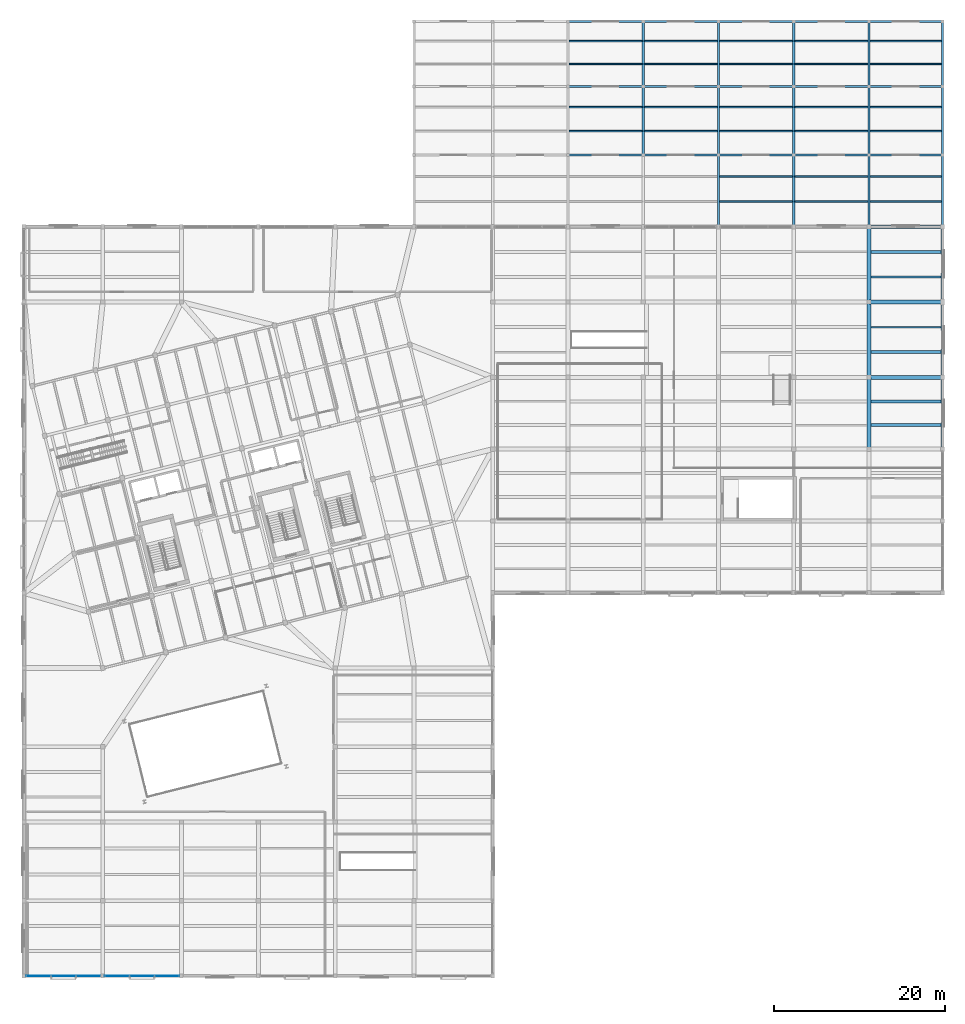
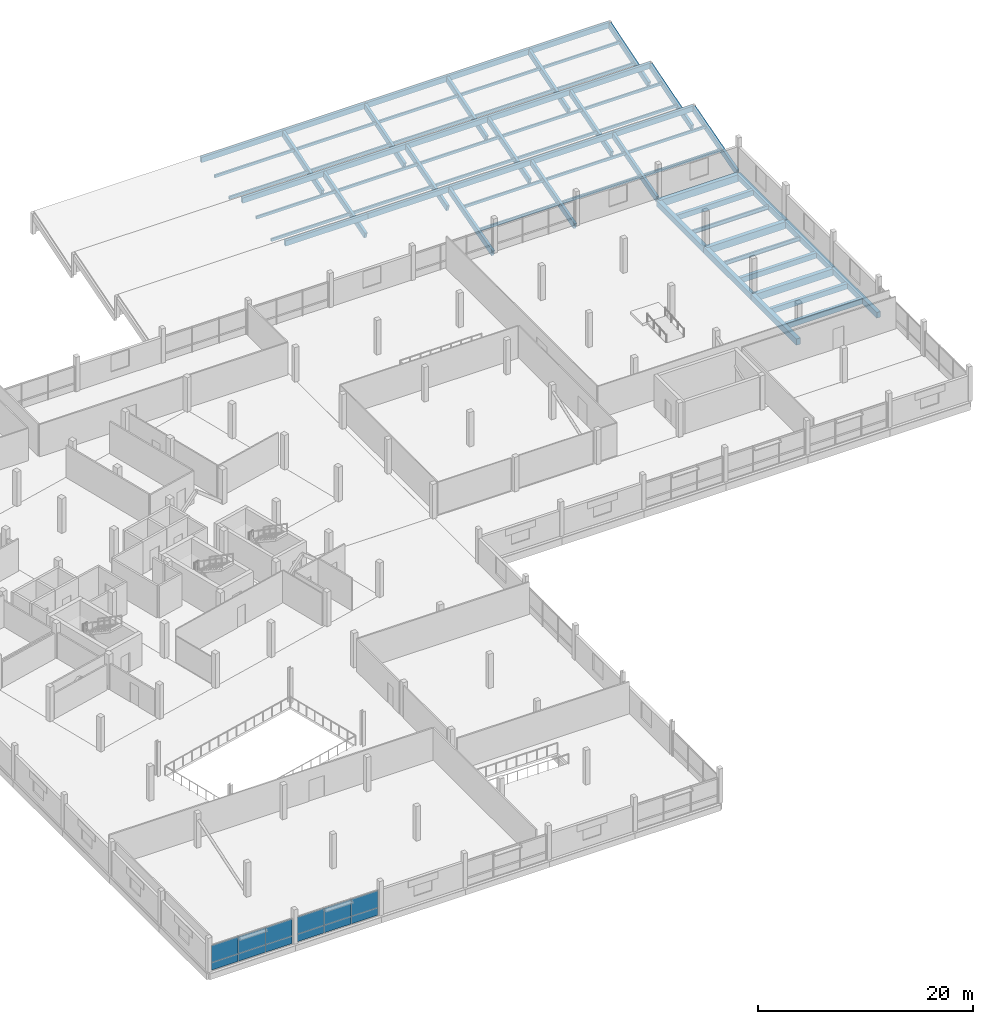
# One storey, part 47 of 62: 44 beams, 26 members, 12 plates, 2 elements without a shape of their own.
"""IFC4 building model written with IfcOpenShell, lengths in metres."""

from ifc_helpers import new_model, si_unit, direction, frame, origin, origin_2d, place, context, subcontext, project, spatial, rectangle, i_section, extrude, material, layer, layer_set, material_profile, profile_set, type_object, element, aggregate, save


model = new_model("IFC4")

# Units and contexts
model_context = context("Model", 3, precision=1e-05, world=origin(), true_north=direction((0.0, 1.0)))
body_context = subcontext(model_context, "Body", "Model", "MODEL_VIEW")
ifc_project = project(units=[si_unit("LENGTHUNIT", "METRE"), si_unit("AREAUNIT", "SQUARE_METRE"), si_unit("VOLUMEUNIT", "CUBIC_METRE"), si_unit("PLANEANGLEUNIT", "RADIAN"), si_unit("MASSUNIT", "GRAM", prefix="KILO")], contexts=[model_context])

# Site, building, storey
site_placement = place(None, origin())
site = spatial("IfcSite", under=ifc_project, at=site_placement, CompositionType="ELEMENT")
building_placement = place(site_placement, origin())
building = spatial("IfcBuilding", under=site, at=building_placement, Name="Meriwether Solvik Hall", CompositionType="ELEMENT")
storey_placement = place(building_placement, frame((0.0, 0.0, 14.39990234375)))
storey = spatial("IfcBuildingStorey", under=building, at=storey_placement, Name="L03", CompositionType="ELEMENT", Elevation=14.39990234375)

# Beams
ifc_material_1 = material(Name="Glulam Douglas-Fir 24F-V8 GL28h", Category="wood")
ifc_material_profile_1 = material_profile(ifc_material_1, rectangle(XDim=0.27294921875, YDim=0.610107421875, at=origin_2d()), Name="GLB-273X610")
ifc_profile_set_1 = profile_set([ifc_material_profile_1], Name="Glulam Douglas-Fir 24F-V8 GL28h")
beam_type_1 = type_object("IfcBeamType", Name="BM-GL-273X610", PredefinedType="SPANDREL", material=ifc_profile_set_1)
for number, where, z_axis, x_axis, name in (
    (1, (123.0, 101.199951171875, 2.055908203125), (1.0, 0.0, 0.0), (0.0, 1.0, 0.0), "Roof Tie Beam L:14-15 (L03)"),
    (2, (131.800048828125, 101.199951171875, 2.055908203125), (1.0, 0.0, 0.0), (0.0, 1.0, 0.0), "Roof Tie Beam L:15-16 (L03)"),
):
    element("IfcBeam", number, at=place(storey_placement, frame(where, z_axis=z_axis, x_axis=x_axis)), inside=storey, type_object=beam_type_1, Name=name, PredefinedType="SPANDREL", context=body_context, shape_type="SweptSolid", body=[
        extrude(rectangle(XDim=0.27294921875, YDim=0.610107421875, at=origin_2d()), origin(), (0.0, 0.0, 1.0), 8.800048828125),
    ])
beam_1_placement = place(storey_placement, frame((140.60009765625, 101.199951171875, 2.055908203125), z_axis=(1.0, 0.0, 0.0), x_axis=(0.0, 1.0, 0.0)))
element("IfcBeam", 3, at=beam_1_placement, inside=storey, type_object=beam_type_1, Name="Roof Tie Beam L:16-17 (L03)", PredefinedType="SPANDREL", context=body_context, shape_type="SweptSolid", body=[
    extrude(rectangle(XDim=0.27294921875, YDim=0.610107421875, at=origin_2d()), origin(), (0.0, 0.0, 1.0), 8.7998046875),
])
beam_2_placement = place(storey_placement, frame((149.39990234375, 101.199951171875, 2.055908203125), z_axis=(1.0, 0.0, 0.0), x_axis=(0.0, 1.0, 0.0)))
element("IfcBeam", 4, at=beam_2_placement, inside=storey, type_object=beam_type_1, Name="Roof Tie Beam L:17-18 (L03)", PredefinedType="SPANDREL", context=body_context, shape_type="SweptSolid", body=[
    extrude(rectangle(XDim=0.27294921875, YDim=0.610107421875, at=origin_2d()), origin(), (0.0, 0.0, 1.0), 8.800048828125),
])
beam_3_placement = place(storey_placement, frame((158.199951171875, 101.199951171875, 2.055908203125), z_axis=(1.0, 0.0, 0.0), x_axis=(0.0, 1.0, 0.0)))
element("IfcBeam", 5, at=beam_3_placement, inside=storey, type_object=beam_type_1, Name="Roof Tie Beam L:18-19 (L03)", PredefinedType="SPANDREL", context=body_context, shape_type="SweptSolid", body=[
    extrude(rectangle(XDim=0.27294921875, YDim=0.610107421875, at=origin_2d()), origin(), (0.0, 0.0, 1.0), 8.60009765625),
])
for number, where, z_axis, x_axis, name in (
    (6, (123.0, 109.199951171875, 2.05517578125), (1.0, 0.0, 0.0), (0.0, 1.0, 0.0), "Roof Tie Beam M:14-15 (L03)"),
    (7, (131.800048828125, 109.199951171875, 2.05517578125), (1.0, 0.0, 0.0), (0.0, 1.0, 0.0), "Roof Tie Beam M:15-16 (L03)"),
):
    element("IfcBeam", number, at=place(storey_placement, frame(where, z_axis=z_axis, x_axis=x_axis)), inside=storey, type_object=beam_type_1, Name=name, PredefinedType="SPANDREL", context=body_context, shape_type="SweptSolid", body=[
        extrude(rectangle(XDim=0.27294921875, YDim=0.610107421875, at=origin_2d()), origin(), (0.0, 0.0, 1.0), 8.800048828125),
    ])
beam_4_placement = place(storey_placement, frame((140.60009765625, 109.199951171875, 2.05517578125), z_axis=(1.0, 0.0, 0.0), x_axis=(0.0, 1.0, 0.0)))
element("IfcBeam", 8, at=beam_4_placement, inside=storey, type_object=beam_type_1, Name="Roof Tie Beam M:16-17 (L03)", PredefinedType="SPANDREL", context=body_context, shape_type="SweptSolid", body=[
    extrude(rectangle(XDim=0.27294921875, YDim=0.610107421875, at=origin_2d()), origin(), (0.0, 0.0, 1.0), 8.7998046875),
])
beam_5_placement = place(storey_placement, frame((149.39990234375, 109.199951171875, 2.05517578125), z_axis=(1.0, 0.0, 0.0), x_axis=(0.0, 1.0, 0.0)))
element("IfcBeam", 9, at=beam_5_placement, inside=storey, type_object=beam_type_1, Name="Roof Tie Beam M:17-18 (L03)", PredefinedType="SPANDREL", context=body_context, shape_type="SweptSolid", body=[
    extrude(rectangle(XDim=0.27294921875, YDim=0.610107421875, at=origin_2d()), origin(), (0.0, 0.0, 1.0), 8.800048828125),
])
beam_6_placement = place(storey_placement, frame((158.199951171875, 109.199951171875, 2.05517578125), z_axis=(1.0, 0.0, 0.0), x_axis=(0.0, 1.0, 0.0)))
element("IfcBeam", 10, at=beam_6_placement, inside=storey, type_object=beam_type_1, Name="Roof Tie Beam M:18-19 (L03)", PredefinedType="SPANDREL", context=body_context, shape_type="SweptSolid", body=[
    extrude(rectangle(XDim=0.27294921875, YDim=0.610107421875, at=origin_2d()), origin(), (0.0, 0.0, 1.0), 8.60009765625),
])
for number, where, z_axis, x_axis, name in (
    (11, (123.0, 116.800048828125, 2.054443359375), (1.0, 0.0, 0.0), (0.0, 1.0, 0.0), "Roof Tie Beam N:14-15 (L03)"),
    (12, (131.800048828125, 116.800048828125, 2.054443359375), (1.0, 0.0, 0.0), (0.0, 1.0, 0.0), "Roof Tie Beam N:15-16 (L03)"),
):
    element("IfcBeam", number, at=place(storey_placement, frame(where, z_axis=z_axis, x_axis=x_axis)), inside=storey, type_object=beam_type_1, Name=name, PredefinedType="SPANDREL", context=body_context, shape_type="SweptSolid", body=[
        extrude(rectangle(XDim=0.27294921875, YDim=0.610107421875, at=origin_2d()), origin(), (0.0, 0.0, 1.0), 8.800048828125),
    ])
beam_7_placement = place(storey_placement, frame((140.60009765625, 116.800048828125, 2.054443359375), z_axis=(1.0, 0.0, 0.0), x_axis=(0.0, 1.0, 0.0)))
element("IfcBeam", 13, at=beam_7_placement, inside=storey, type_object=beam_type_1, Name="Roof Tie Beam N:16-17 (L03)", PredefinedType="SPANDREL", context=body_context, shape_type="SweptSolid", body=[
    extrude(rectangle(XDim=0.27294921875, YDim=0.610107421875, at=origin_2d()), origin(), (0.0, 0.0, 1.0), 8.7998046875),
])
beam_8_placement = place(storey_placement, frame((149.39990234375, 116.800048828125, 2.054443359375), z_axis=(1.0, 0.0, 0.0), x_axis=(0.0, 1.0, 0.0)))
element("IfcBeam", 14, at=beam_8_placement, inside=storey, type_object=beam_type_1, Name="Roof Tie Beam N:17-18 (L03)", PredefinedType="SPANDREL", context=body_context, shape_type="SweptSolid", body=[
    extrude(rectangle(XDim=0.27294921875, YDim=0.610107421875, at=origin_2d()), origin(), (0.0, 0.0, 1.0), 8.800048828125),
])
beam_9_placement = place(storey_placement, frame((158.199951171875, 116.800048828125, 2.054443359375), z_axis=(1.0, 0.0, 0.0), x_axis=(0.0, 1.0, 0.0)))
element("IfcBeam", 15, at=beam_9_placement, inside=storey, type_object=beam_type_1, Name="Roof Tie Beam N:18-19 (L03)", PredefinedType="SPANDREL", context=body_context, shape_type="SweptSolid", body=[
    extrude(rectangle(XDim=0.27294921875, YDim=0.610107421875, at=origin_2d()), origin(), (0.0, 0.0, 1.0), 8.60009765625),
])
ifc_material_2 = material(Name="Glulam Douglas-Fir 24F-V8 GL28h", Category="wood")
ifc_material_profile_2 = material_profile(ifc_material_2, rectangle(XDim=0.27294921875, YDim=0.68505859375, at=origin_2d()), Name="GLB-273X685")
ifc_profile_set_2 = profile_set([ifc_material_profile_2], Name="Glulam Douglas-Fir 24F-V8 GL28h")
beam_type_2 = type_object("IfcBeamType", Name="BM-GL-273X685", PredefinedType="BEAM", material=ifc_profile_set_2)
for number, where, z_axis, x_axis, name in (
    (16, (140.60009765625, 93.021484375, -0.3125), (0.0, 0.962120295862, 0.272625267155), (-1.0, 0.0, 0.0), "Raking Glulam Roof Rafter w2_saw_1-16 (L03)"),
    (17, (149.39990234375, 93.021484375, -0.3125), (0.0, 0.962120295862, 0.272625267155), (-1.0, 0.0, 0.0), "Raking Glulam Roof Rafter w2_saw_1-17 (L03)"),
    (18, (158.199951171875, 93.021484375, -0.3125), (0.0, 0.962120295862, 0.272625267155), (-1.0, 0.0, 0.0), "Raking Glulam Roof Rafter w2_saw_1-18 (L03)"),
    (19, (166.800048828125, 93.021484375, -0.3125), (0.0, 0.962120295862, 0.272625267155), (-1.0, 0.0, 0.0), "Raking Glulam Roof Rafter w2_saw_1-19 (L03)"),
):
    element("IfcBeam", number, at=place(storey_placement, frame(where, z_axis=z_axis, x_axis=x_axis)), inside=storey, type_object=beam_type_2, Name=name, PredefinedType="BEAM", context=body_context, shape_type="SweptSolid", body=[
        extrude(rectangle(XDim=0.27294921875, YDim=0.68505859375, at=origin_2d()), origin(), (0.0, 0.0, 1.0), 8.46435546875),
    ])
for number, where, z_axis, x_axis, name in (
    (20, (131.800048828125, 101.42578125, -0.31005859375), (0.0, 0.958478334476, 0.285165359641), (-1.0, 0.0, 0.0), "Raking Glulam Roof Rafter w2_saw_2-15 (L03)"),
    (21, (140.60009765625, 101.42578125, -0.31005859375), (0.0, 0.958478334476, 0.285165359641), (-1.0, 0.0, 0.0), "Raking Glulam Roof Rafter w2_saw_2-16 (L03)"),
    (22, (149.39990234375, 101.42578125, -0.31005859375), (0.0, 0.958478334476, 0.285165359641), (-1.0, 0.0, 0.0), "Raking Glulam Roof Rafter w2_saw_2-17 (L03)"),
    (23, (158.199951171875, 101.42578125, -0.31005859375), (0.0, 0.958478334476, 0.285165359641), (-1.0, 0.0, 0.0), "Raking Glulam Roof Rafter w2_saw_2-18 (L03)"),
    (24, (166.800048828125, 101.42578125, -0.31005859375), (0.0, 0.958478334476, 0.285165359641), (-1.0, 0.0, 0.0), "Raking Glulam Roof Rafter w2_saw_2-19 (L03)"),
):
    element("IfcBeam", number, at=place(storey_placement, frame(where, z_axis=z_axis, x_axis=x_axis)), inside=storey, type_object=beam_type_2, Name=name, PredefinedType="BEAM", context=body_context, shape_type="SweptSolid", body=[
        extrude(rectangle(XDim=0.27294921875, YDim=0.68505859375, at=origin_2d()), origin(), (0.0, 0.0, 1.0), 8.079345703125),
    ])
for number, where, z_axis, x_axis, name in (
    (25, (131.800048828125, 109.430419921875, -0.307373046875), (0.0, 0.954301993673, 0.298843947356), (-1.0, 0.0, 0.0), "Raking Glulam Roof Rafter w2_saw_3-15 (L03)"),
    (26, (140.60009765625, 109.430419921875, -0.307373046875), (0.0, 0.954301993673, 0.298843947356), (-1.0, 0.0, 0.0), "Raking Glulam Roof Rafter w2_saw_3-16 (L03)"),
    (27, (149.39990234375, 109.430419921875, -0.307373046875), (0.0, 0.954301993673, 0.298843947356), (-1.0, 0.0, 0.0), "Raking Glulam Roof Rafter w2_saw_3-17 (L03)"),
    (28, (158.199951171875, 109.430419921875, -0.307373046875), (0.0, 0.954301993673, 0.298843947356), (-1.0, 0.0, 0.0), "Raking Glulam Roof Rafter w2_saw_3-18 (L03)"),
    (29, (166.800048828125, 109.430419921875, -0.307373046875), (0.0, 0.954301993673, 0.298843947356), (-1.0, 0.0, 0.0), "Raking Glulam Roof Rafter w2_saw_3-19 (L03)"),
):
    element("IfcBeam", number, at=place(storey_placement, frame(where, z_axis=z_axis, x_axis=x_axis)), inside=storey, type_object=beam_type_2, Name=name, PredefinedType="BEAM", context=body_context, shape_type="SweptSolid", body=[
        extrude(rectangle(XDim=0.27294921875, YDim=0.68505859375, at=origin_2d()), origin(), (0.0, 0.0, 1.0), 7.695556640625),
    ])
ifc_material_3 = material(Name="Concrete C40/50", Category="concrete")
ifc_material_profile_3 = material_profile(ifc_material_3, rectangle(XDim=0.35009765625, YDim=0.60009765625, at=origin_2d()), Name="RCB-350X600")
ifc_profile_set_3 = profile_set([ifc_material_profile_3], Name="Concrete C40/50")
beam_type_3 = type_object("IfcBeamType", Name="BM-RC-350X600", PredefinedType="JOIST", material=ifc_profile_set_3)
for number, where, z_axis, x_axis, name in (
    (30, (158.419921875, 69.60009765625, -0.544921875), (1.0, 0.0, 0.0), (0.0, 1.0, 0.0), "Secondary Floor Joist 18/H_J1 (L03)"),
    (31, (158.419921875, 72.39990234375, -0.544921875), (1.0, 0.0, 0.0), (0.0, 1.0, 0.0), "Secondary Floor Joist 18/H_J2 (L03)"),
    (32, (158.419921875, 78.13330078125, -0.544921875), (1.0, 0.0, 0.0), (0.0, 1.0, 0.0), "Secondary Floor Joist 18/I_J1 (L03)"),
    (33, (158.419921875, 89.86669921875, -0.544921875), (1.0, 0.0, 0.0), (0.0, 1.0, 0.0), "Secondary Floor Joist 18/J_J2 (L03)"),
):
    element("IfcBeam", number, at=place(storey_placement, frame(where, z_axis=z_axis, x_axis=x_axis)), inside=storey, type_object=beam_type_3, Name=name, PredefinedType="JOIST", context=body_context, shape_type="SweptSolid", body=[
        extrude(rectangle(XDim=0.35009765625, YDim=0.60009765625, at=origin_2d()), origin(), (0.0, 0.0, 1.0), 8.18505859375),
    ])
ifc_material_4 = material(Name="Concrete C40/50", Category="concrete")
ifc_material_profile_4 = material_profile(ifc_material_4, rectangle(XDim=0.39990234375, YDim=0.64990234375, at=origin_2d()), Name="RCB-400X650")
ifc_profile_set_4 = profile_set([ifc_material_profile_4], Name="Concrete C40/50")
beam_type_4 = type_object("IfcBeamType", Name="BM-RC-400X650", PredefinedType="SPANDREL", material=ifc_profile_set_4)
beam_10_placement = place(storey_placement, frame((166.800048828125, 66.800048828125, -0.56982421875), z_axis=(0.0, 1.0, 0.0), x_axis=(-1.0, 0.0, 0.0)))
element("IfcBeam", 34, at=beam_10_placement, inside=storey, type_object=beam_type_4, Name="Podium Girder 19:H-I (L03)", PredefinedType="SPANDREL", context=body_context, shape_type="SweptSolid", body=[
    extrude(rectangle(XDim=0.39990234375, YDim=0.64990234375, at=origin_2d()), origin(), (0.0, 0.0, 1.0), 8.39990234375),
])
for number, where, z_axis, x_axis, name in (
    (35, (166.800048828125, 75.199951171875, -0.56982421875), (0.0, 1.0, 0.0), (-1.0, 0.0, 0.0), "Podium Girder 19:I-J (L03)"),
    (36, (166.800048828125, 84.0, -0.56982421875), (0.0, 1.0, 0.0), (-1.0, 0.0, 0.0), "Podium Girder 19:J-K (L03)"),
):
    element("IfcBeam", number, at=place(storey_placement, frame(where, z_axis=z_axis, x_axis=x_axis)), inside=storey, type_object=beam_type_4, Name=name, PredefinedType="SPANDREL", context=body_context, shape_type="SweptSolid", body=[
        extrude(rectangle(XDim=0.39990234375, YDim=0.64990234375, at=origin_2d()), origin(), (0.0, 0.0, 1.0), 8.800048828125),
    ])
ifc_material_5 = material(Name="Concrete C40/50", Category="concrete")
ifc_material_profile_5 = material_profile(ifc_material_5, rectangle(XDim=0.449951171875, YDim=0.699951171875, at=origin_2d()), Name="RCB-450X700")
ifc_profile_set_5 = profile_set([ifc_material_profile_5], Name="Concrete C40/50")
beam_type_5 = type_object("IfcBeamType", Name="BM-RC-450X700", PredefinedType="BEAM", material=ifc_profile_set_5)
beam_11_placement = place(storey_placement, frame((158.199951171875, 66.800048828125, -0.594970703125), z_axis=(0.0, 1.0, 0.0), x_axis=(-1.0, 0.0, 0.0)))
element("IfcBeam", 37, at=beam_11_placement, inside=storey, type_object=beam_type_5, Name="Podium Girder 18:H-I (L03)", PredefinedType="BEAM", context=body_context, shape_type="SweptSolid", body=[
    extrude(rectangle(XDim=0.449951171875, YDim=0.699951171875, at=origin_2d()), origin(), (0.0, 0.0, 1.0), 8.39990234375),
])
for number, where, z_axis, x_axis, name in (
    (38, (158.199951171875, 75.199951171875, -0.594970703125), (0.0, 1.0, 0.0), (-1.0, 0.0, 0.0), "Podium Girder 18:I-J (L03)"),
    (39, (158.199951171875, 84.0, -0.594970703125), (0.0, 1.0, 0.0), (-1.0, 0.0, 0.0), "Podium Girder 18:J-K (L03)"),
):
    element("IfcBeam", number, at=place(storey_placement, frame(where, z_axis=z_axis, x_axis=x_axis)), inside=storey, type_object=beam_type_5, Name=name, PredefinedType="BEAM", context=body_context, shape_type="SweptSolid", body=[
        extrude(rectangle(XDim=0.449951171875, YDim=0.699951171875, at=origin_2d()), origin(), (0.0, 0.0, 1.0), 8.800048828125),
    ])
ifc_material_6 = material(Name="Concrete C40/50", Category="concrete")
ifc_material_profile_6 = material_profile(ifc_material_6, rectangle(XDim=0.449951171875, YDim=0.800048828125, at=origin_2d()), Name="RCB-450X800")
ifc_profile_set_6 = profile_set([ifc_material_profile_6], Name="Concrete C40/50")
beam_type_6 = type_object("IfcBeamType", Name="BM-RC-450X800", PredefinedType="BEAM", material=ifc_profile_set_6)
for number, where, z_axis, x_axis, name in (
    (40, (158.199951171875, 75.199951171875, -0.64501953125), (1.0, 0.0, 0.0), (0.0, 1.0, 0.0), "Podium Girder I:18-19 (L03)"),
    (41, (158.199951171875, 84.0, -0.64501953125), (1.0, 0.0, 0.0), (0.0, 1.0, 0.0), "Podium Girder J:18-19 (L03)"),
    (42, (158.199951171875, 92.800048828125, -0.64501953125), (1.0, 0.0, 0.0), (0.0, 1.0, 0.0), "Podium Girder K:18-19 (L03)"),
):
    element("IfcBeam", number, at=place(storey_placement, frame(where, z_axis=z_axis, x_axis=x_axis)), inside=storey, type_object=beam_type_6, Name=name, PredefinedType="BEAM", context=body_context, shape_type="SweptSolid", body=[
        extrude(rectangle(XDim=0.449951171875, YDim=0.800048828125, at=origin_2d()), origin(), (0.0, 0.0, 1.0), 8.60009765625),
    ])
ifc_material_7 = material(Name="Steel A992 Grade 50", Category="steel")
ifc_material_profile_7 = material_profile(ifc_material_7, i_section(OverallWidth=0.19091796875, OverallDepth=0.45703125, WebThickness=0.009033203125, FlangeThickness=0.014404296875, at=origin_2d()), Name="W18X50")
ifc_profile_set_7 = profile_set([ifc_material_profile_7], Name="Steel A992 Grade 50")
beam_type_7 = type_object("IfcBeamType", Name="BM-STL-W18X50", PredefinedType="JOIST", material=ifc_profile_set_7)
for number, where, z_axis, x_axis, name in (
    (43, (158.419921875, 81.066650390625, -0.473388671875), (1.0, 0.0, 0.0), (0.0, 1.0, 0.0), "Secondary Floor Joist 18/I_J2 (L03)"),
    (44, (158.419921875, 86.933349609375, -0.473388671875), (1.0, 0.0, 0.0), (0.0, 1.0, 0.0), "Secondary Floor Joist 18/J_J1 (L03)"),
):
    element("IfcBeam", number, at=place(storey_placement, frame(where, z_axis=z_axis, x_axis=x_axis)), inside=storey, type_object=beam_type_7, Name=name, PredefinedType="JOIST", context=body_context, shape_type="SweptSolid", body=[
        extrude(i_section(OverallWidth=0.19091796875, OverallDepth=0.45703125, WebThickness=0.009033203125, FlangeThickness=0.014404296875, at=origin_2d()), origin(), (0.0, 0.0, 1.0), 8.18505859375),
    ])

# Members
ifc_material_8 = material(Name="Glulam Douglas-Fir 24F-V8 GL28h", Category="wood")
ifc_material_profile_8 = material_profile(ifc_material_8, rectangle(XDim=0.175048828125, YDim=0.304931640625, at=origin_2d()), Name="GLM-175X305")
ifc_profile_set_8 = profile_set([ifc_material_profile_8], Name="Glulam Douglas-Fir 24F-V8 GL28h")
member_type = type_object("IfcMemberType", Name="MEM-PRL-GL175", PredefinedType="PURLIN", material=ifc_profile_set_8)
for number, where, z_axis, x_axis, name in (
    (45, (140.732421875, 95.739990234375, 0.661376953125), (1.0, 0.0, 0.0), (0.0, 1.0, 0.0), "Sloped Roof Glulam Purlin w2_saw_1-5.1"),
    (46, (140.732421875, 98.679931640625, 1.494384765625), (1.0, 0.0, 0.0), (0.0, 1.0, 0.0), "Sloped Roof Glulam Purlin w2_saw_1-5.2"),
):
    element("IfcMember", number, at=place(storey_placement, frame(where, z_axis=z_axis, x_axis=x_axis)), inside=storey, type_object=member_type, Name=name, PredefinedType="PURLIN", context=body_context, shape_type="SweptSolid", body=[
        extrude(rectangle(XDim=0.175048828125, YDim=0.304931640625, at=origin_2d()), origin(), (0.0, 0.0, 1.0), 8.53515625),
    ])
for number, where, z_axis, x_axis, name in (
    (47, (149.532470703125, 95.739990234375, 0.661376953125), (1.0, 0.0, 0.0), (0.0, 1.0, 0.0), "Sloped Roof Glulam Purlin w2_saw_1-6.1"),
    (48, (149.532470703125, 98.679931640625, 1.494384765625), (1.0, 0.0, 0.0), (0.0, 1.0, 0.0), "Sloped Roof Glulam Purlin w2_saw_1-6.2"),
):
    element("IfcMember", number, at=place(storey_placement, frame(where, z_axis=z_axis, x_axis=x_axis)), inside=storey, type_object=member_type, Name=name, PredefinedType="PURLIN", context=body_context, shape_type="SweptSolid", body=[
        extrude(rectangle(XDim=0.175048828125, YDim=0.304931640625, at=origin_2d()), origin(), (0.0, 0.0, 1.0), 8.534912109375),
    ])
for number, where, z_axis, x_axis, name in (
    (49, (158.33251953125, 95.739990234375, 0.661376953125), (1.0, 0.0, 0.0), (0.0, 1.0, 0.0), "Sloped Roof Glulam Purlin w2_saw_1-7.1"),
    (50, (158.33251953125, 98.679931640625, 1.494384765625), (1.0, 0.0, 0.0), (0.0, 1.0, 0.0), "Sloped Roof Glulam Purlin w2_saw_1-7.2"),
):
    element("IfcMember", number, at=place(storey_placement, frame(where, z_axis=z_axis, x_axis=x_axis)), inside=storey, type_object=member_type, Name=name, PredefinedType="PURLIN", context=body_context, shape_type="SweptSolid", body=[
        extrude(rectangle(XDim=0.175048828125, YDim=0.304931640625, at=origin_2d()), origin(), (0.0, 0.0, 1.0), 8.3349609375),
    ])
for number, where, z_axis, x_axis, name in (
    (51, (123.132568359375, 104.0, 0.66064453125), (1.0, 0.0, 0.0), (0.0, 1.0, 0.0), "Sloped Roof Glulam Purlin w2_saw_2-3.1"),
    (52, (123.132568359375, 106.800048828125, 1.49365234375), (1.0, 0.0, 0.0), (0.0, 1.0, 0.0), "Sloped Roof Glulam Purlin w2_saw_2-3.2"),
    (53, (131.9326171875, 104.0, 0.66064453125), (1.0, 0.0, 0.0), (0.0, 1.0, 0.0), "Sloped Roof Glulam Purlin w2_saw_2-4.1"),
    (54, (131.9326171875, 106.800048828125, 1.49365234375), (1.0, 0.0, 0.0), (0.0, 1.0, 0.0), "Sloped Roof Glulam Purlin w2_saw_2-4.2"),
):
    element("IfcMember", number, at=place(storey_placement, frame(where, z_axis=z_axis, x_axis=x_axis)), inside=storey, type_object=member_type, Name=name, PredefinedType="PURLIN", context=body_context, shape_type="SweptSolid", body=[
        extrude(rectangle(XDim=0.175048828125, YDim=0.304931640625, at=origin_2d()), origin(), (0.0, 0.0, 1.0), 8.534912109375),
    ])
for number, where, z_axis, x_axis, name in (
    (55, (140.732421875, 104.0, 0.66064453125), (1.0, 0.0, 0.0), (0.0, 1.0, 0.0), "Sloped Roof Glulam Purlin w2_saw_2-5.1"),
    (56, (140.732421875, 106.800048828125, 1.49365234375), (1.0, 0.0, 0.0), (0.0, 1.0, 0.0), "Sloped Roof Glulam Purlin w2_saw_2-5.2"),
):
    element("IfcMember", number, at=place(storey_placement, frame(where, z_axis=z_axis, x_axis=x_axis)), inside=storey, type_object=member_type, Name=name, PredefinedType="PURLIN", context=body_context, shape_type="SweptSolid", body=[
        extrude(rectangle(XDim=0.175048828125, YDim=0.304931640625, at=origin_2d()), origin(), (0.0, 0.0, 1.0), 8.53515625),
    ])
for number, where, z_axis, x_axis, name in (
    (57, (149.532470703125, 104.0, 0.66064453125), (1.0, 0.0, 0.0), (0.0, 1.0, 0.0), "Sloped Roof Glulam Purlin w2_saw_2-6.1"),
    (58, (149.532470703125, 106.800048828125, 1.49365234375), (1.0, 0.0, 0.0), (0.0, 1.0, 0.0), "Sloped Roof Glulam Purlin w2_saw_2-6.2"),
):
    element("IfcMember", number, at=place(storey_placement, frame(where, z_axis=z_axis, x_axis=x_axis)), inside=storey, type_object=member_type, Name=name, PredefinedType="PURLIN", context=body_context, shape_type="SweptSolid", body=[
        extrude(rectangle(XDim=0.175048828125, YDim=0.304931640625, at=origin_2d()), origin(), (0.0, 0.0, 1.0), 8.534912109375),
    ])
for number, where, z_axis, x_axis, name in (
    (59, (158.33251953125, 104.0, 0.66064453125), (1.0, 0.0, 0.0), (0.0, 1.0, 0.0), "Sloped Roof Glulam Purlin w2_saw_2-7.1"),
    (60, (158.33251953125, 106.800048828125, 1.49365234375), (1.0, 0.0, 0.0), (0.0, 1.0, 0.0), "Sloped Roof Glulam Purlin w2_saw_2-7.2"),
):
    element("IfcMember", number, at=place(storey_placement, frame(where, z_axis=z_axis, x_axis=x_axis)), inside=storey, type_object=member_type, Name=name, PredefinedType="PURLIN", context=body_context, shape_type="SweptSolid", body=[
        extrude(rectangle(XDim=0.175048828125, YDim=0.304931640625, at=origin_2d()), origin(), (0.0, 0.0, 1.0), 8.3349609375),
    ])
for number, where, z_axis, x_axis, name in (
    (61, (123.132568359375, 111.860107421875, 0.659912109375), (1.0, 0.0, 0.0), (0.0, 1.0, 0.0), "Sloped Roof Glulam Purlin w2_saw_3-3.1"),
    (62, (123.132568359375, 114.52001953125, 1.492919921875), (1.0, 0.0, 0.0), (0.0, 1.0, 0.0), "Sloped Roof Glulam Purlin w2_saw_3-3.2"),
    (63, (131.9326171875, 111.860107421875, 0.659912109375), (1.0, 0.0, 0.0), (0.0, 1.0, 0.0), "Sloped Roof Glulam Purlin w2_saw_3-4.1"),
    (64, (131.9326171875, 114.52001953125, 1.492919921875), (1.0, 0.0, 0.0), (0.0, 1.0, 0.0), "Sloped Roof Glulam Purlin w2_saw_3-4.2"),
):
    element("IfcMember", number, at=place(storey_placement, frame(where, z_axis=z_axis, x_axis=x_axis)), inside=storey, type_object=member_type, Name=name, PredefinedType="PURLIN", context=body_context, shape_type="SweptSolid", body=[
        extrude(rectangle(XDim=0.175048828125, YDim=0.304931640625, at=origin_2d()), origin(), (0.0, 0.0, 1.0), 8.534912109375),
    ])
for number, where, z_axis, x_axis, name in (
    (65, (140.732421875, 111.860107421875, 0.659912109375), (1.0, 0.0, 0.0), (0.0, 1.0, 0.0), "Sloped Roof Glulam Purlin w2_saw_3-5.1"),
    (66, (140.732421875, 114.52001953125, 1.492919921875), (1.0, 0.0, 0.0), (0.0, 1.0, 0.0), "Sloped Roof Glulam Purlin w2_saw_3-5.2"),
):
    element("IfcMember", number, at=place(storey_placement, frame(where, z_axis=z_axis, x_axis=x_axis)), inside=storey, type_object=member_type, Name=name, PredefinedType="PURLIN", context=body_context, shape_type="SweptSolid", body=[
        extrude(rectangle(XDim=0.175048828125, YDim=0.304931640625, at=origin_2d()), origin(), (0.0, 0.0, 1.0), 8.53515625),
    ])
for number, where, z_axis, x_axis, name in (
    (67, (149.532470703125, 111.860107421875, 0.659912109375), (1.0, 0.0, 0.0), (0.0, 1.0, 0.0), "Sloped Roof Glulam Purlin w2_saw_3-6.1"),
    (68, (149.532470703125, 114.52001953125, 1.492919921875), (1.0, 0.0, 0.0), (0.0, 1.0, 0.0), "Sloped Roof Glulam Purlin w2_saw_3-6.2"),
):
    element("IfcMember", number, at=place(storey_placement, frame(where, z_axis=z_axis, x_axis=x_axis)), inside=storey, type_object=member_type, Name=name, PredefinedType="PURLIN", context=body_context, shape_type="SweptSolid", body=[
        extrude(rectangle(XDim=0.175048828125, YDim=0.304931640625, at=origin_2d()), origin(), (0.0, 0.0, 1.0), 8.534912109375),
    ])
for number, where, z_axis, x_axis, name in (
    (69, (158.33251953125, 111.860107421875, 0.659912109375), (1.0, 0.0, 0.0), (0.0, 1.0, 0.0), "Sloped Roof Glulam Purlin w2_saw_3-7.1"),
    (70, (158.33251953125, 114.52001953125, 1.492919921875), (1.0, 0.0, 0.0), (0.0, 1.0, 0.0), "Sloped Roof Glulam Purlin w2_saw_3-7.2"),
):
    element("IfcMember", number, at=place(storey_placement, frame(where, z_axis=z_axis, x_axis=x_axis)), inside=storey, type_object=member_type, Name=name, PredefinedType="PURLIN", context=body_context, shape_type="SweptSolid", body=[
        extrude(rectangle(XDim=0.175048828125, YDim=0.304931640625, at=origin_2d()), origin(), (0.0, 0.0, 1.0), 8.3349609375),
    ])

# Curtain wall, plates
ifc_material_9 = material(Name="Thermally Broken Anodised Aluminium 6063-T6 and Low-E Glass", Category="aluminium")
ifc_layer_1 = layer(ifc_material_9, 0.179931640625)
ifc_layer_set_1 = layer_set([ifc_layer_1], Name="Thermally Broken Anodised Aluminium 6063-T6 and Low-E Glass")
curtain_wall_type = type_object("IfcCurtainWallType", Name="CW-UNIT-E", PredefinedType="USERDEFINED", material=ifc_layer_set_1)
curtain_wall_1_placement = place(storey_placement, origin())
curtain_wall_1 = element("IfcCurtainWall", 71, at=curtain_wall_1_placement, inside=storey, type_object=curtain_wall_type, Name="Curtain Wall wing_XA_7_0 (L03)", ObjectType="UNITISED CURTAIN WALL", PredefinedType="USERDEFINED")
ifc_material_10 = material(Name="Low-Emissivity Double-Glazed Laminated Glass", Category="glass")
ifc_layer_2 = layer(ifc_material_10, 0.031982421875)
ifc_layer_set_2 = layer_set([ifc_layer_2], Name="Low-Emissivity Double-Glazed Laminated Glass")
plate_type_1 = type_object("IfcPlateType", Name="PLT-GLZ-225X195", PredefinedType="CURTAIN_PANEL", material=ifc_layer_set_2)
plate_1_placement = place(storey_placement, frame((66.899658203125, 5.199951171875, 0.856689453125), z_axis=(0.0, 0.0, 1.0), x_axis=(-1.0, 0.0, 0.0)))
plate_1 = element("IfcPlate", 72, at=plate_1_placement, type_object=plate_type_1, Name="Low-E Vision Glazing Panel 1", PredefinedType="CURTAIN_PANEL", context=body_context, shape_type="SweptSolid", body=[
    extrude(rectangle(XDim=2.872802734375, YDim=0.033935546875, at=origin_2d()), origin(), (0.0, 0.0, 1.0), 1.9384765625),
])
plate_2_placement = place(storey_placement, frame((64.0, 5.199951171875, 0.856689453125), z_axis=(0.0, 0.0, 1.0), x_axis=(-1.0, 0.0, 0.0)))
plate_2 = element("IfcPlate", 73, at=plate_2_placement, type_object=plate_type_1, Name="Low-E Vision Glazing Panel 2", PredefinedType="CURTAIN_PANEL", context=body_context, shape_type="SweptSolid", body=[
    extrude(rectangle(XDim=2.91064453125, YDim=0.033935546875, at=origin_2d()), origin(), (0.0, 0.0, 1.0), 1.9384765625),
])
plate_3_placement = place(storey_placement, frame((61.100341796875, 5.199951171875, 0.856689453125), z_axis=(0.0, 0.0, 1.0), x_axis=(-1.0, 0.0, 0.0)))
plate_3 = element("IfcPlate", 74, at=plate_3_placement, type_object=plate_type_1, Name="Low-E Vision Glazing Panel 3", PredefinedType="CURTAIN_PANEL", context=body_context, shape_type="SweptSolid", body=[
    extrude(rectangle(XDim=2.872802734375, YDim=0.033935546875, at=origin_2d()), origin(), (0.0, 0.0, 1.0), 1.9384765625),
])

curtain_wall_2_placement = place(storey_placement, origin())
curtain_wall_2 = element("IfcCurtainWall", 75, at=curtain_wall_2_placement, inside=storey, type_object=curtain_wall_type, Name="Curtain Wall wing_XA_8_1 (L03)", ObjectType="UNITISED CURTAIN WALL", PredefinedType="USERDEFINED")
plate_4_placement = place(storey_placement, frame((76.099609375, 5.199951171875, 0.856689453125), z_axis=(0.0, 0.0, 1.0), x_axis=(-1.0, 0.0, 0.0)))
plate_4 = element("IfcPlate", 76, at=plate_4_placement, type_object=plate_type_1, Name="Low-E Vision Glazing Panel 1", PredefinedType="CURTAIN_PANEL", context=body_context, shape_type="SweptSolid", body=[
    extrude(rectangle(XDim=2.872802734375, YDim=0.033935546875, at=origin_2d()), origin(), (0.0, 0.0, 1.0), 1.9384765625),
])
plate_5_placement = place(storey_placement, frame((73.199951171875, 5.199951171875, 0.856689453125), z_axis=(0.0, 0.0, 1.0), x_axis=(-1.0, 0.0, 0.0)))
plate_5 = element("IfcPlate", 77, at=plate_5_placement, type_object=plate_type_1, Name="Low-E Vision Glazing Panel 2", PredefinedType="CURTAIN_PANEL", context=body_context, shape_type="SweptSolid", body=[
    extrude(rectangle(XDim=2.91064453125, YDim=0.033935546875, at=origin_2d()), origin(), (0.0, 0.0, 1.0), 1.9384765625),
])
plate_6_placement = place(storey_placement, frame((70.30029296875, 5.199951171875, 0.856689453125), z_axis=(0.0, 0.0, 1.0), x_axis=(-1.0, 0.0, 0.0)))
plate_6 = element("IfcPlate", 78, at=plate_6_placement, type_object=plate_type_1, Name="Low-E Vision Glazing Panel 3", PredefinedType="CURTAIN_PANEL", context=body_context, shape_type="SweptSolid", body=[
    extrude(rectangle(XDim=2.872802734375, YDim=0.033935546875, at=origin_2d()), origin(), (0.0, 0.0, 1.0), 1.9384765625),
])

# Plate
ifc_material_11 = material(Name="Mineral-Wool Insulated Anodised Aluminium 6063-T6", Category="aluminium")
ifc_layer_3 = layer(ifc_material_11, 0.044921875)
ifc_layer_set_3 = layer_set([ifc_layer_3], Name="Mineral-Wool Insulated Anodised Aluminium 6063-T6")
plate_type_2 = type_object("IfcPlateType", Name="PLT-SPN-225X085", PredefinedType="CURTAIN_PANEL", material=ifc_layer_set_3)
plate_7_placement = place(storey_placement, frame((66.899658203125, 5.199951171875, 0.000244140625), z_axis=(0.0, 0.0, 1.0), x_axis=(-1.0, 0.0, 0.0)))
plate_7 = element("IfcPlate", 79, at=plate_7_placement, type_object=plate_type_2, Name="Insulated Spandrel Panel 1", PredefinedType="CURTAIN_PANEL", context=body_context, shape_type="SweptSolid", body=[
    extrude(rectangle(XDim=2.872802734375, YDim=0.044921875, at=origin_2d()), origin(), (0.0, 0.0, 1.0), 0.8564453125),
])

plate_8_placement = place(storey_placement, frame((64.0, 5.199951171875, 0.000244140625), z_axis=(0.0, 0.0, 1.0), x_axis=(-1.0, 0.0, 0.0)))
plate_8 = element("IfcPlate", 80, at=plate_8_placement, type_object=plate_type_2, Name="Insulated Spandrel Panel 2", PredefinedType="CURTAIN_PANEL", context=body_context, shape_type="SweptSolid", body=[
    extrude(rectangle(XDim=2.91064453125, YDim=0.044921875, at=origin_2d()), origin(), (0.0, 0.0, 1.0), 0.8564453125),
])

plate_9_placement = place(storey_placement, frame((61.100341796875, 5.199951171875, 0.000244140625), z_axis=(0.0, 0.0, 1.0), x_axis=(-1.0, 0.0, 0.0)))
plate_9 = element("IfcPlate", 81, at=plate_9_placement, type_object=plate_type_2, Name="Insulated Spandrel Panel 3", PredefinedType="CURTAIN_PANEL", context=body_context, shape_type="SweptSolid", body=[
    extrude(rectangle(XDim=2.872802734375, YDim=0.044921875, at=origin_2d()), origin(), (0.0, 0.0, 1.0), 0.8564453125),
])

aggregate(curtain_wall_1, [plate_7, plate_1, plate_8, plate_2, plate_9, plate_3])

plate_10_placement = place(storey_placement, frame((76.099609375, 5.199951171875, 0.000244140625), z_axis=(0.0, 0.0, 1.0), x_axis=(-1.0, 0.0, 0.0)))
plate_10 = element("IfcPlate", 82, at=plate_10_placement, type_object=plate_type_2, Name="Insulated Spandrel Panel 1", PredefinedType="CURTAIN_PANEL", context=body_context, shape_type="SweptSolid", body=[
    extrude(rectangle(XDim=2.872802734375, YDim=0.044921875, at=origin_2d()), origin(), (0.0, 0.0, 1.0), 0.8564453125),
])

plate_11_placement = place(storey_placement, frame((73.199951171875, 5.199951171875, 0.000244140625), z_axis=(0.0, 0.0, 1.0), x_axis=(-1.0, 0.0, 0.0)))
plate_11 = element("IfcPlate", 83, at=plate_11_placement, type_object=plate_type_2, Name="Insulated Spandrel Panel 2", PredefinedType="CURTAIN_PANEL", context=body_context, shape_type="SweptSolid", body=[
    extrude(rectangle(XDim=2.91064453125, YDim=0.044921875, at=origin_2d()), origin(), (0.0, 0.0, 1.0), 0.8564453125),
])

plate_12_placement = place(storey_placement, frame((70.30029296875, 5.199951171875, 0.000244140625), z_axis=(0.0, 0.0, 1.0), x_axis=(-1.0, 0.0, 0.0)))
plate_12 = element("IfcPlate", 84, at=plate_12_placement, type_object=plate_type_2, Name="Insulated Spandrel Panel 3", PredefinedType="CURTAIN_PANEL", context=body_context, shape_type="SweptSolid", body=[
    extrude(rectangle(XDim=2.872802734375, YDim=0.044921875, at=origin_2d()), origin(), (0.0, 0.0, 1.0), 0.8564453125),
])

aggregate(curtain_wall_2, [plate_10, plate_4, plate_11, plate_5, plate_12, plate_6])

save(model, "model.ifc")
